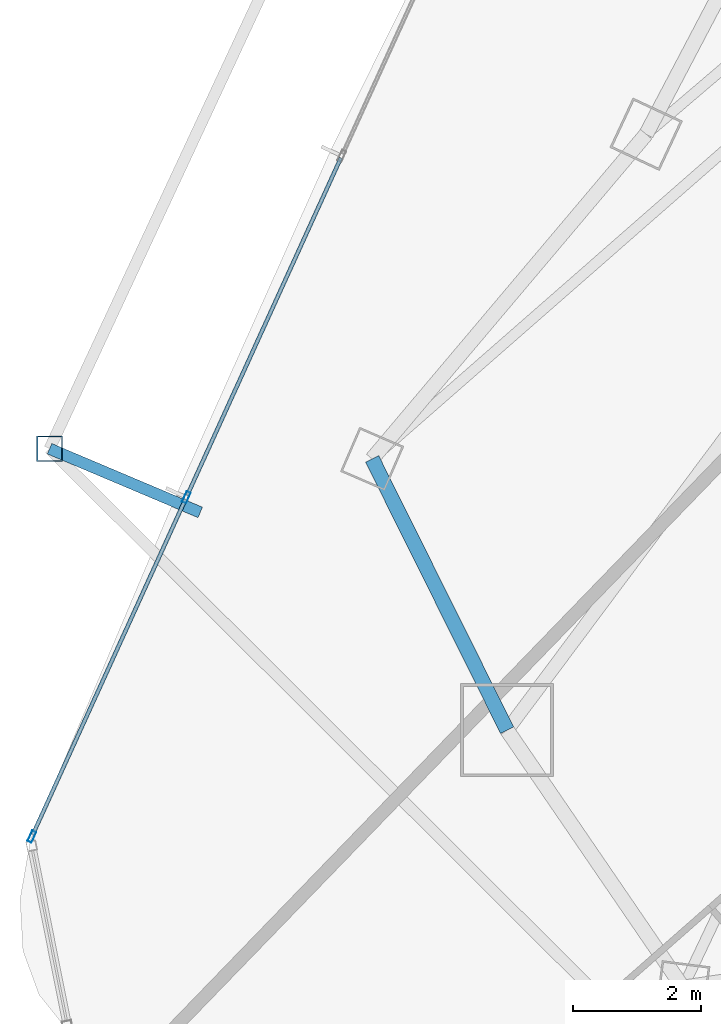
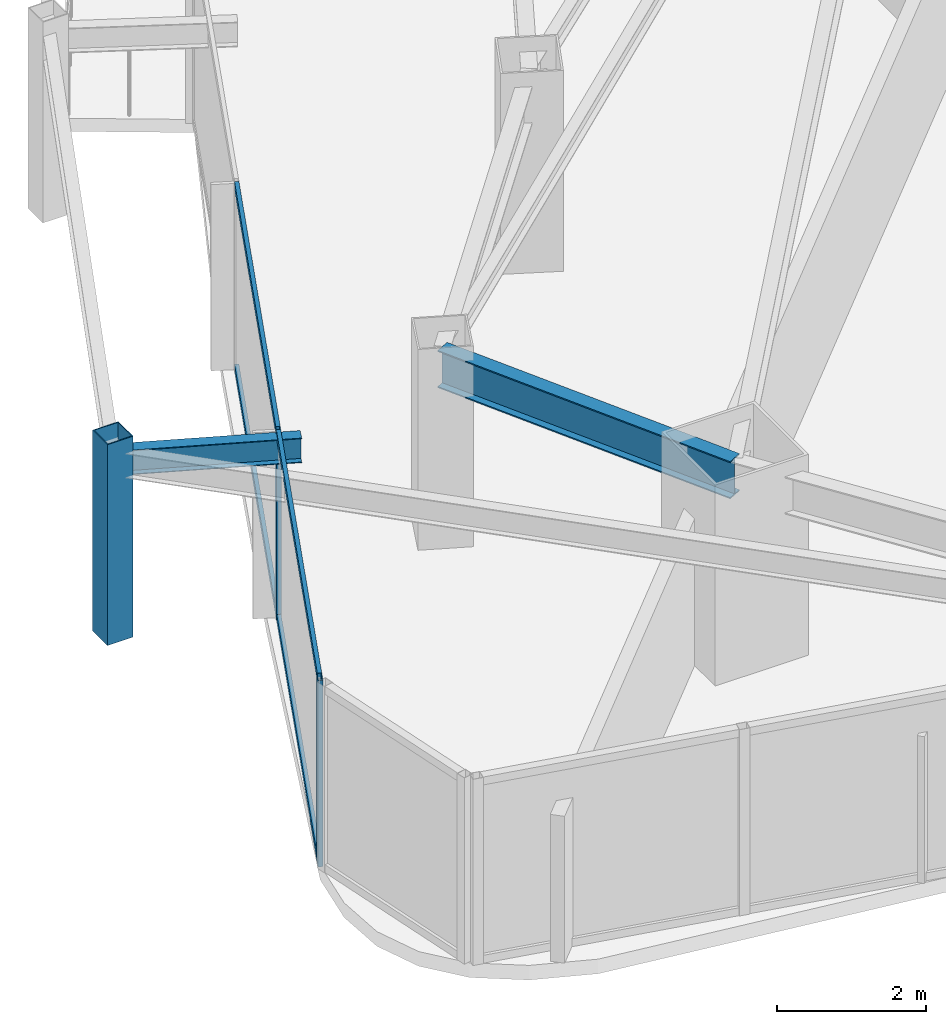
# One storey, part 5 of 31: 7 members, 2 beams, 1 element without a shape of its own.
"""IFC4 building model written with IfcOpenShell, lengths in metres."""

from ifc_helpers import new_model, si_unit, direction, frame, origin, origin_2d, place, context, subcontext, project, spatial, hollow_rectangle, i_section, extrude, material, layer, layer_set, material_profile, profile_set, type_object, element, aggregate, save


model = new_model("IFC4")

# Units and contexts
model_context = context("Model", 3, precision=1e-05, world=origin(), true_north=direction((0.0, 1.0)))
body_context = subcontext(model_context, "Body", "Model", "MODEL_VIEW")
ifc_project = project(units=[si_unit("LENGTHUNIT", "METRE"), si_unit("AREAUNIT", "SQUARE_METRE"), si_unit("VOLUMEUNIT", "CUBIC_METRE"), si_unit("PLANEANGLEUNIT", "RADIAN"), si_unit("MASSUNIT", "GRAM", prefix="KILO")], contexts=[model_context])

# Site, building, storey
site_placement = place(None, origin())
site = spatial("IfcSite", under=ifc_project, at=site_placement, CompositionType="ELEMENT")
building_placement = place(site_placement, origin())
building = spatial("IfcBuilding", under=site, at=building_placement, Name="Orvanel Arch Residences", CompositionType="ELEMENT")
storey_placement = place(building_placement, frame((0.0, 0.0, 110.0)))
storey = spatial("IfcBuildingStorey", under=building, at=storey_placement, Name="L30", CompositionType="ELEMENT", Elevation=110.0)

# Curtain wall, members
ifc_material_1 = material(Name="Bronze-anodised aluminium AA6063-T6", Category="aluminium")
ifc_layer = layer(ifc_material_1, 0.179931640625)
ifc_layer_set = layer_set([ifc_layer], Name="Bronze-anodised aluminium AA6063-T6")
curtain_wall_type = type_object("IfcCurtainWallType", Name="CW3-MID-SYS", PredefinedType="NOTDEFINED", material=ifc_layer_set)
curtain_wall_placement = place(storey_placement, origin())
curtain_wall = element("IfcCurtainWall", 1, at=curtain_wall_placement, inside=storey, type_object=curtain_wall_type, Name="L30 CW3-MID-SYS Unitised Curtain Wall", PredefinedType="NOTDEFINED")
ifc_material_profile_1 = material_profile(ifc_material_1, hollow_rectangle(XDim=0.070068359375, YDim=0.179931640625, WallThickness=0.00439453125, at=origin_2d()), Name="ALU180x70x4.5")
ifc_profile_set_1 = profile_set([ifc_material_profile_1], Name="Bronze-anodised aluminium AA6063-T6")
member_type_1 = type_object("IfcMemberType", Name="MUL-180x70", PredefinedType="MULLION", material=ifc_profile_set_1)
member_1_placement = place(storey_placement, frame((9.1982421875, 13.981689453125, 0.0), z_axis=(0.0, 0.0, 1.0), x_axis=(0.910112556864, -0.414361115258, 0.0)))
member_1 = element("IfcMember", 2, at=member_1_placement, type_object=member_type_1, Name="CW-S3 mullion 3", PredefinedType="MULLION", context=body_context, shape_type="SweptSolid", body=[
    extrude(hollow_rectangle(XDim=0.070068359375, YDim=0.179931640625, WallThickness=0.00439453125, at=origin_2d()), origin(), (0.0, 0.0, 1.0), 3.06005859375),
])
member_2_placement = place(storey_placement, frame((6.78955078125, 8.69091796875, 0.0), z_axis=(0.0, 0.0, 1.0), x_axis=(0.910112556864, -0.414361115258, 0.0)))
member_2 = element("IfcMember", 3, at=member_2_placement, type_object=member_type_1, Name="CW-S3 mullion 4", PredefinedType="MULLION", context=body_context, shape_type="SweptSolid", body=[
    extrude(hollow_rectangle(XDim=0.070068359375, YDim=0.179931640625, WallThickness=0.00439453125, at=origin_2d()), origin(), (0.0, 0.0, 1.0), 3.06005859375),
])

# Beams
ifc_material_2 = material(Name="Structural steel AS/NZS 3679.1 Grade 300 (300 MPa)", Category="steel")
ifc_material_profile_2 = material_profile(ifc_material_2, i_section(OverallWidth=0.177978515625, OverallDepth=0.406005859375, WebThickness=0.0078125, FlangeThickness=0.0126953125, at=origin_2d()), Name="410UB59.7")
ifc_profile_set_2 = profile_set([ifc_material_profile_2], Name="Structural steel AS/NZS 3679.1 Grade 300 (300 MPa)")
beam_type_1 = type_object("IfcBeamType", Name="OB-410UB-EXT", PredefinedType="SPANDREL", material=ifc_profile_set_2)
beam_1_placement = place(storey_placement, frame((9.4150390625, 13.74609375, 2.85693359375), z_axis=(-0.921099320223, 0.389327679833, 0.0), x_axis=(-0.389327679833, -0.921099320223, 0.0)))
element("IfcBeam", 4, at=beam_1_placement, inside=storey, type_object=beam_type_1, Name="L30 Outer Frame Radial Tie Beam 04", PredefinedType="SPANDREL", context=body_context, shape_type="SweptSolid", body=[
    extrude(i_section(OverallWidth=0.177978515625, OverallDepth=0.406005859375, WebThickness=0.0078125, FlangeThickness=0.0126953125, at=origin_2d()), origin(), (0.0, 0.0, 1.0), 2.55029296875),
])
ifc_material_profile_3 = material_profile(ifc_material_2, i_section(OverallWidth=0.22900390625, OverallDepth=0.612060546875, WebThickness=0.011962890625, FlangeThickness=0.01953125, at=origin_2d()), Name="610UB125")
ifc_profile_set_3 = profile_set([ifc_material_profile_3], Name="Structural steel AS/NZS 3679.1 Grade 300 (300 MPa)")
beam_type_2 = type_object("IfcBeamType", Name="SP-610UB", PredefinedType="SPANDREL", material=ifc_profile_set_3)
beam_2_placement = place(storey_placement, frame((12.094970703125, 14.580078125, 2.75390625), z_axis=(0.44543469453, -0.895314432425, 0.0), x_axis=(0.895314432425, 0.44543469453, 0.0)))
element("IfcBeam", 5, at=beam_2_placement, inside=storey, type_object=beam_type_2, Name="L30 Perimeter Spandrel Beam 02", PredefinedType="SPANDREL", context=body_context, shape_type="SweptSolid", body=[
    extrude(i_section(OverallWidth=0.22900390625, OverallDepth=0.612060546875, WebThickness=0.011962890625, FlangeThickness=0.01953125, at=origin_2d()), origin(), (0.0, 0.0, 1.0), 4.723388671875),
])

# Member
ifc_material_3 = material(Name="Structural steel AS/NZS 1163 C450L0 (Grade 450)", Category="steel")
ifc_material_profile_4 = material_profile(ifc_material_3, hollow_rectangle(XDim=0.39990234375, YDim=0.39990234375, WallThickness=0.01611328125, at=origin_2d()), Name="SHS400x400x16")
ifc_profile_set_4 = profile_set([ifc_material_profile_4], Name="Structural steel AS/NZS 1163 C450L0 (Grade 450)")
member_type_2 = type_object("IfcMemberType", Name="ST-400SHS-EXT", PredefinedType="STRUT", material=ifc_profile_set_4)
member_3_placement = place(storey_placement, frame((7.06591796875, 14.739013671875, 0.0), z_axis=(0.0, 0.0, 1.0), x_axis=(1.0, 0.0, 0.0)))
element("IfcMember", 6, at=member_3_placement, inside=storey, type_object=member_type_2, Name="L30 Outer Perimeter Frame Post 04", PredefinedType="STRUT", context=body_context, shape_type="SweptSolid", body=[
    extrude(hollow_rectangle(XDim=0.39990234375, YDim=0.39990234375, WallThickness=0.01611328125, at=origin_2d()), origin(), (0.0, 0.0, 1.0), 3.300048828125),
])

ifc_material_profile_5 = material_profile(ifc_material_1, hollow_rectangle(XDim=0.06005859375, YDim=0.135009765625, WallThickness=0.00390625, at=origin_2d()), Name="ALU135x60x4")
ifc_profile_set_5 = profile_set([ifc_material_profile_5], Name="Bronze-anodised aluminium AA6063-T6")
member_type_3 = type_object("IfcMemberType", Name="TRN-135x60", PredefinedType="USERDEFINED", material=ifc_profile_set_5)
member_4_placement = place(storey_placement, frame((11.607177734375, 19.2724609375, 0.030029296875), z_axis=(-0.414350389291, -0.910117440166, 0.0), x_axis=(0.910117440166, -0.414350389291, 0.0)))
member_4 = element("IfcMember", 7, at=member_4_placement, type_object=member_type_3, Name="CW-S3 transom 2.1", ObjectType="TRANSOM", PredefinedType="USERDEFINED", context=body_context, shape_type="SweptSolid", body=[
    extrude(hollow_rectangle(XDim=0.06005859375, YDim=0.135009765625, WallThickness=0.00390625, at=origin_2d()), origin(), (0.0, 0.0, 1.0), 5.7783203125),
])

member_5_placement = place(storey_placement, frame((11.607177734375, 19.2724609375, 3.030029296875), z_axis=(-0.414350389291, -0.910117440166, 0.0), x_axis=(0.910117440166, -0.414350389291, 0.0)))
member_5 = element("IfcMember", 8, at=member_5_placement, type_object=member_type_3, Name="CW-S3 transom 2.2", ObjectType="TRANSOM", PredefinedType="USERDEFINED", context=body_context, shape_type="SweptSolid", body=[
    extrude(hollow_rectangle(XDim=0.06005859375, YDim=0.135009765625, WallThickness=0.00390625, at=origin_2d()), origin(), (0.0, 0.0, 1.0), 5.7783203125),
])

member_6_placement = place(storey_placement, frame((9.183837890625, 13.94970703125, 0.030029296875), z_axis=(-0.414372943031, -0.910107171757, 0.0), x_axis=(0.910107171757, -0.414372943031, 0.0)))
member_6 = element("IfcMember", 9, at=member_6_placement, type_object=member_type_3, Name="CW-S3 transom 3.1", ObjectType="TRANSOM", PredefinedType="USERDEFINED", context=body_context, shape_type="SweptSolid", body=[
    extrude(hollow_rectangle(XDim=0.06005859375, YDim=0.135009765625, WallThickness=0.00390625, at=origin_2d()), origin(), (0.0, 0.0, 1.0), 5.743408203125),
])

member_7_placement = place(storey_placement, frame((9.183837890625, 13.94970703125, 3.030029296875), z_axis=(-0.414372943031, -0.910107171757, 0.0), x_axis=(0.910107171757, -0.414372943031, 0.0)))
member_7 = element("IfcMember", 10, at=member_7_placement, type_object=member_type_3, Name="CW-S3 transom 3.2", ObjectType="TRANSOM", PredefinedType="USERDEFINED", context=body_context, shape_type="SweptSolid", body=[
    extrude(hollow_rectangle(XDim=0.06005859375, YDim=0.135009765625, WallThickness=0.00390625, at=origin_2d()), origin(), (0.0, 0.0, 1.0), 5.743408203125),
])

aggregate(curtain_wall, [member_1, member_2, member_4, member_5, member_6, member_7])

save(model, "model.ifc")
